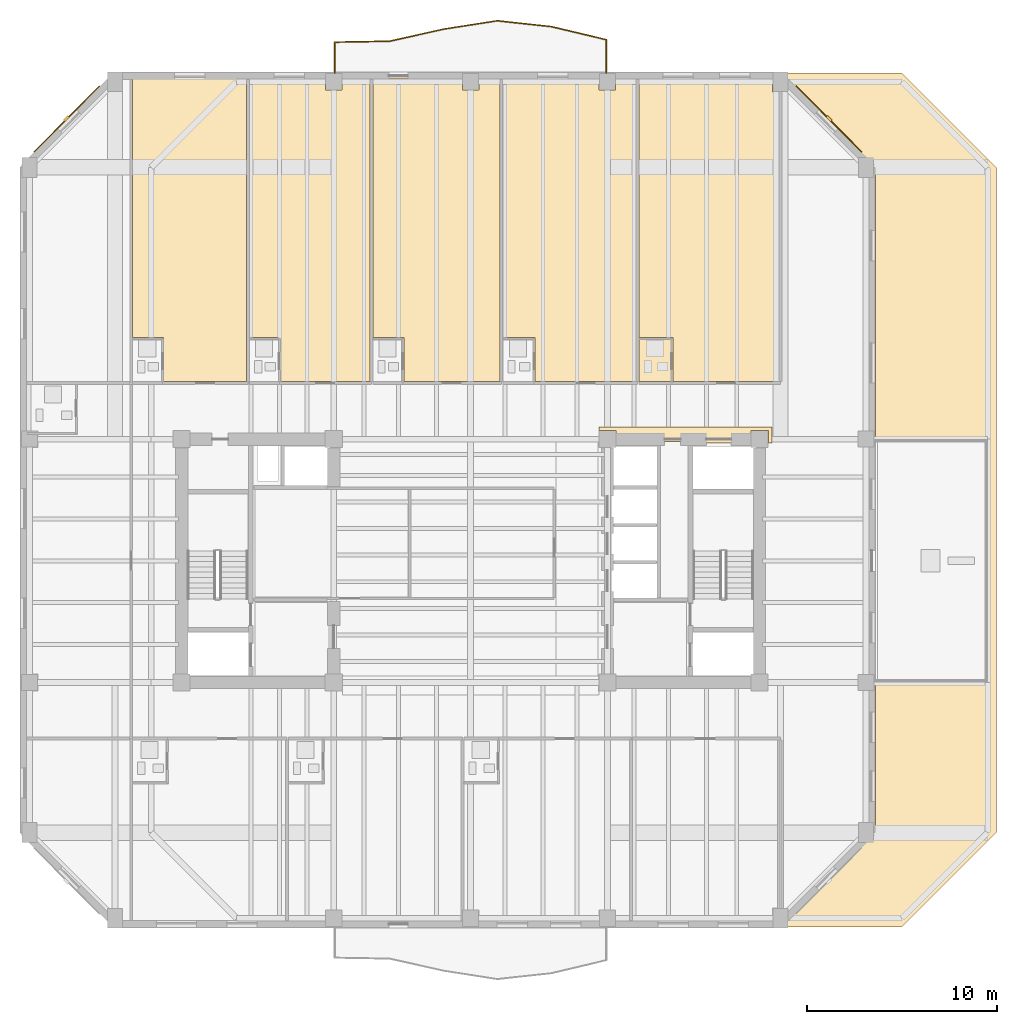
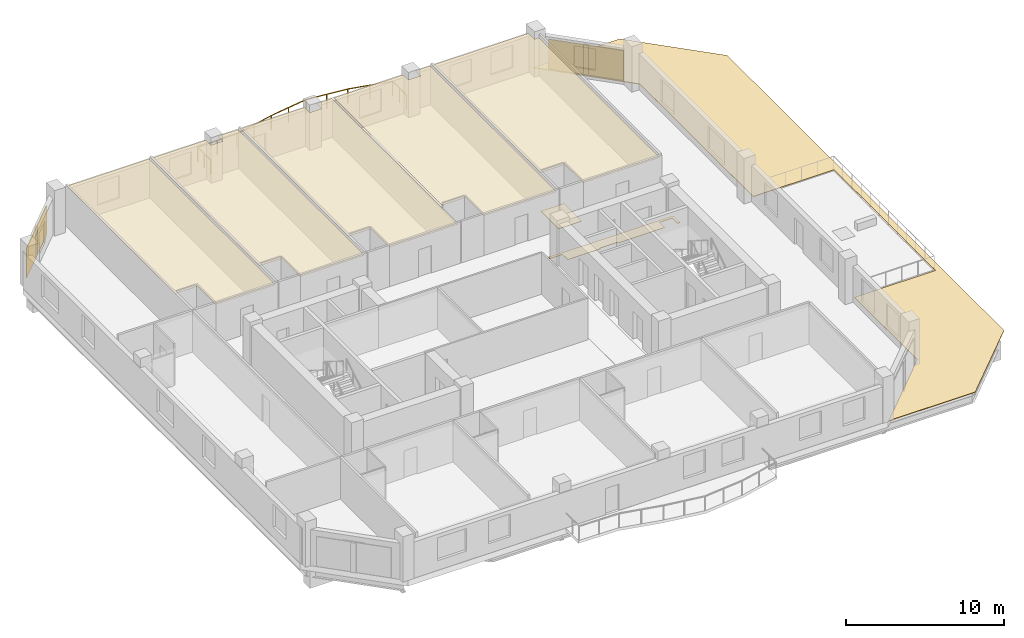
# One storey, part 10 of 11: 10 coverings, 2 shading devices, 1 railing.
"""IFC4 building model written with IfcOpenShell, lengths in metres."""

from ifc_helpers import new_model, si_unit, direction, frame, origin, origin_2d, place, context, subcontext, project, spatial, polyline, rectangle, circle, outline, extrude, material, layer, layer_set, type_object, element, save


model = new_model("IFC4")

# Units and contexts
model_context = context("Model", 3, precision=1e-05, world=origin(), true_north=direction((0.0, 1.0)))
body_context = subcontext(model_context, "Body", "Model", "MODEL_VIEW")
ifc_project = project(units=[si_unit("LENGTHUNIT", "METRE"), si_unit("AREAUNIT", "SQUARE_METRE"), si_unit("VOLUMEUNIT", "CUBIC_METRE"), si_unit("PLANEANGLEUNIT", "RADIAN"), si_unit("MASSUNIT", "GRAM", prefix="KILO")], contexts=[model_context])

# Site, building, storey
site_placement = place(None, origin())
site = spatial("IfcSite", under=ifc_project, at=site_placement, CompositionType="ELEMENT")
building_placement = place(site_placement, origin())
building = spatial("IfcBuilding", under=site, at=building_placement, Name="Kranthara Brick Stack", CompositionType="ELEMENT")
storey_placement = place(building_placement, frame((0.0, 0.0, 183.300048828125)))
storey = spatial("IfcBuildingStorey", under=building, at=storey_placement, Name="L47", CompositionType="ELEMENT", Elevation=183.300048828125)

# Coverings
ifc_material_1 = material(Name="Perforated mineral-fibre acoustic ceiling tile", Category="other")
ifc_layer_1 = layer(ifc_material_1, 0.02490234375)
ifc_layer_set_1 = layer_set([ifc_layer_1], Name="Perforated mineral-fibre acoustic ceiling tile")
covering_type_1 = type_object("IfcCoveringType", Name="COV-CEIL-ACOUSTIC", PredefinedType="CEILING", material=ifc_layer_set_1)
covering_1_placement = place(storey_placement, frame((0.0, 0.0, 2.929931640625)))
element("IfcCovering", 1, at=covering_1_placement, inside=storey, type_object=covering_type_1, Name="L47 Room L47-05 Corner Junior Suite Acoustic Ceiling", PredefinedType="CEILING", context=body_context, shape_type="SweptSolid", body=[
    extrude(outline(polyline([(11.860107421875, 36.6298828125), (16.217041015625, 36.6298828125), (16.217041015625, 52.60009765625), (10.22998046875, 52.60009765625), (10.22998046875, 38.93994140625), (11.860107421875, 38.93994140625), (11.860107421875, 36.6298828125)])), origin(), (0.0, 0.0, 1.0), 0.02490234375),
])
covering_2_placement = place(storey_placement, frame((0.0, 0.0, 2.929931640625)))
element("IfcCovering", 2, at=covering_2_placement, inside=storey, type_object=covering_type_1, Name="L47 Room L47-06 Corner Junior Suite Acoustic Ceiling", PredefinedType="CEILING", context=body_context, shape_type="SweptSolid", body=[
    extrude(outline(polyline([(22.705078125, 52.60009765625), (22.705078125, 36.6298828125), (18.007080078125, 36.6298828125), (18.007080078125, 38.93994140625), (16.376953125, 38.93994140625), (16.376953125, 52.60009765625), (20.364990234375, 52.60009765625), (20.364990234375, 51.965087890625), (21.235107421875, 51.965087890625), (21.235107421875, 52.60009765625), (22.705078125, 52.60009765625)])), origin(), (0.0, 0.0, 1.0), 0.02490234375),
])
covering_3_placement = place(storey_placement, frame((0.0, 0.0, 2.929931640625)))
element("IfcCovering", 3, at=covering_3_placement, inside=storey, type_object=covering_type_1, Name="L47 Room L47-07 Corner Junior Suite Acoustic Ceiling", PredefinedType="CEILING", context=body_context, shape_type="SweptSolid", body=[
    extrude(outline(polyline([(29.534912109375, 52.60009765625), (29.534912109375, 36.6298828125), (24.4951171875, 36.6298828125), (24.4951171875, 38.93994140625), (22.864990234375, 38.93994140625), (22.864990234375, 52.60009765625), (27.56494140625, 52.60009765625), (27.56494140625, 51.965087890625), (28.43505859375, 51.965087890625), (28.43505859375, 52.60009765625), (29.534912109375, 52.60009765625)])), origin(), (0.0, 0.0, 1.0), 0.02490234375),
])
covering_4_placement = place(storey_placement, frame((0.0, 0.0, 2.929931640625)))
element("IfcCovering", 4, at=covering_4_placement, inside=storey, type_object=covering_type_1, Name="L47 Room L47-08 Corner Junior Suite Acoustic Ceiling", PredefinedType="CEILING", context=body_context, shape_type="SweptSolid", body=[
    extrude(outline(polyline([(36.70703125, 52.60009765625), (36.70703125, 36.6298828125), (31.396240234375, 36.6298828125), (31.396240234375, 38.93994140625), (29.695068359375, 38.93994140625), (29.695068359375, 52.60009765625), (34.764892578125, 52.60009765625), (34.764892578125, 51.965087890625), (35.635009765625, 51.965087890625), (35.635009765625, 52.60009765625), (36.70703125, 52.60009765625)])), origin(), (0.0, 0.0, 1.0), 0.02490234375),
])
covering_5_placement = place(storey_placement, frame((0.0, 0.0, 2.929931640625)))
element("IfcCovering", 5, at=covering_5_placement, inside=storey, type_object=covering_type_1, Name="L47 Room L47-09 Corner Junior Suite Acoustic Ceiling", PredefinedType="CEILING", context=body_context, shape_type="SweptSolid", body=[
    extrude(outline(polyline([(44.219970703125, 36.6298828125), (38.650146484375, 36.6298828125), (38.650146484375, 38.93994140625), (36.866943359375, 38.93994140625), (36.866943359375, 52.60009765625), (43.889892578125, 52.60009765625), (43.889892578125, 51.864990234375), (44.219970703125, 51.864990234375), (44.219970703125, 36.6298828125)])), origin(), (0.0, 0.0, 1.0), 0.02490234375),
])
ifc_material_2 = material(Name="Warm buff kiln-fired brick slip rainscreen", Category="masonry")
ifc_layer_2 = layer(ifc_material_2, 0.044921875)
ifc_layer_set_2 = layer_set([ifc_layer_2], Name="Warm buff kiln-fired brick slip rainscreen")
covering_type_2 = type_object("IfcCoveringType", Name="COV-CLAD-BRICK", PredefinedType="CLADDING", material=ifc_layer_set_2)
for number, where, z_axis, x_axis, name in (
    (6, (6.759521484375, 50.4404296875, 0.0498046875), (0.0, 0.0, 1.0), (0.707106781187, 0.707106781187, 0.0), "L47 Chamfer Brick Rainscreen Cladding NW"),
    (7, (46.84033203125, 50.4404296875, 0.0498046875), (0.0, 0.0, 1.0), (0.707106781187, -0.707106781187, 0.0), "L47 Chamfer Brick Rainscreen Cladding NE"),
):
    element("IfcCovering", number, at=place(storey_placement, frame(where, z_axis=z_axis, x_axis=x_axis)), inside=storey, type_object=covering_type_2, Name=name, PredefinedType="CLADDING", context=body_context, shape_type="SweptSolid", body=[
        extrude(rectangle(XDim=4.89306640625, YDim=0.044921875, at=origin_2d()), origin(), (0.0, 0.0, 1.0), 2.300048828125),
    ])
ifc_material_3 = material(Name="Honed terrazzo and porcelain floor finish", Category="stone")
ifc_layer_3 = layer(ifc_material_3, 0.030029296875)
ifc_layer_set_3 = layer_set([ifc_layer_3], Name="Honed terrazzo and porcelain floor finish")
covering_type_3 = type_object("IfcCoveringType", Name="COV-FLOR-STONE", PredefinedType="FLOORING", material=ifc_layer_set_3)
covering_6_placement = place(storey_placement, origin())
element("IfcCovering", 8, at=covering_6_placement, inside=storey, type_object=covering_type_3, Name="L47 Lift Lobby Stone Flooring", PredefinedType="FLOORING", context=body_context, shape_type="SweptSolid", body=[
    extrude(outline(polyline([(43.659912109375, 33.39990234375), (43.659912109375, 34.06005859375), (42.739990234375, 34.06005859375), (42.739990234375, 33.39990234375), (39.35009765625, 33.39990234375), (39.35009765625, 33.47998046875), (38.050048828125, 33.47998046875), (38.050048828125, 33.39990234375), (35.659912109375, 33.39990234375), (35.659912109375, 34.06005859375), (34.75, 34.06005859375), (34.75, 34.25), (43.85009765625, 34.25), (43.85009765625, 33.39990234375), (43.659912109375, 33.39990234375)])), origin(), (0.0, 0.0, 1.0), 0.030029296875),
])
covering_7_placement = place(storey_placement, origin())
element("IfcCovering", 9, at=covering_7_placement, inside=storey, type_object=covering_type_3, Name="L47 Wet Room Porcelain Flooring", PredefinedType="FLOORING", context=body_context, shape_type="SweptSolid", body=[
    extrude(outline(polyline([(36.866943359375, 36.6298828125), (36.866943359375, 38.8798828125), (38.550048828125, 38.8798828125), (38.550048828125, 36.6298828125), (36.866943359375, 36.6298828125)])), origin(), (0.0, 0.0, 1.0), 0.030029296875),
])
ifc_material_4 = material(Name="EPDM waterproofing membrane and rigid insulation", Category="other")
ifc_layer_4 = layer(ifc_material_4, 0.0400390625)
ifc_layer_set_4 = layer_set([ifc_layer_4], Name="EPDM waterproofing membrane and rigid insulation")
covering_type_4 = type_object("IfcCoveringType", Name="COV-ROOF-MEMB", PredefinedType="ROOFING", material=ifc_layer_set_4)
covering_8_placement = place(storey_placement, frame((0.0, 0.0, -0.0400390625)))
element("IfcCovering", 10, at=covering_8_placement, inside=storey, type_object=covering_type_4, Name="L47 Setback Flat Roof Waterproofing Membrane 01", PredefinedType="ROOFING", context=body_context, shape_type="SweptSolid", body=[
    extrude(outline(polyline([(50.67919921875, 52.85009765625), (55.64990234375, 47.87939453125), (55.64990234375, 12.920654296875), (50.67919921875, 7.949951171875), (44.35009765625, 7.949951171875), (49.300048828125, 12.89990234375), (49.300048828125, 20.800048828125), (55.199951171875, 20.800048828125), (55.199951171875, 33.60009765625), (49.300048828125, 33.60009765625), (49.300048828125, 47.89990234375), (44.35009765625, 52.85009765625), (50.67919921875, 52.85009765625)])), origin(), (0.0, 0.0, 1.0), 0.0400390625),
])

# Railing
ifc_material_5 = material(Name="Bronze anodised aluminium and laminated glass balustrade", Category="aluminium")
railing_type = type_object("IfcRailingType", Name="RL-BALC-1120", PredefinedType="BALUSTRADE", material=ifc_material_5)
railing_placement = place(storey_placement, frame((20.860107421875, 52.840087890625, 0.0)))
element("IfcRailing", 11, at=railing_placement, inside=storey, type_object=railing_type, Name="L47 North Rippling Balcony Balustrade", PredefinedType="BALUSTRADE", context=body_context, shape_type="SweptSolid", body=[
    extrude(circle(Radius=0.02392578125, at=origin_2d()), frame((0.0, 0.0, 1.09619140625), z_axis=(0.0, 1.0, 0.0), x_axis=(-1.0, 0.0, 0.0)), (0.0, 0.0, 1.0), 1.643310546875),
    extrude(circle(Radius=0.02392578125, at=origin_2d()), frame((0.0, 1.643310546875, 1.09619140625), z_axis=(0.999853408864, 0.017121938673, 0.0), x_axis=(-0.017121938673, 0.999853408864, 0.0)), (0.0, 0.0, 1.0), 2.88037109375),
    extrude(circle(Radius=0.02392578125, at=origin_2d()), frame((2.8798828125, 1.692626953125, 1.09619140625), z_axis=(0.975999372723, 0.217773332719, 0.0), x_axis=(-0.217773332719, 0.975999372723, 0.0)), (0.0, 0.0, 1.0), 2.94384765625),
    extrude(circle(Radius=0.02392578125, at=origin_2d()), frame((5.753173828125, 2.333740234375, 1.09619140625), z_axis=(0.987979346542, 0.154585933404, 0.0), x_axis=(-0.154585933404, 0.987979346542, 0.0)), (0.0, 0.0, 1.0), 2.814453125),
    extrude(circle(Radius=0.02392578125, at=origin_2d()), frame((8.53369140625, 2.768798828125, 1.09619140625), z_axis=(0.994195551704, -0.10758812654, 0.0), x_axis=(0.10758812654, 0.994195551704, 0.0)), (0.0, 0.0, 1.0), 2.88427734375),
    extrude(circle(Radius=0.02392578125, at=origin_2d()), frame((11.401123046875, 2.45849609375, 1.09619140625), z_axis=(0.972813296182, -0.231590783003, 0.0), x_axis=(0.231590783003, 0.972813296182, 0.0)), (0.0, 0.0, 1.0), 2.959228515625),
    extrude(circle(Radius=0.02392578125, at=origin_2d()), frame((14.27978515625, 1.773193359375, 1.09619140625), z_axis=(0.0, -1.0, 0.0), x_axis=(1.0, 0.0, 0.0)), (0.0, 0.0, 1.0), 1.773193359375),
    extrude(circle(Radius=0.02099609375, at=origin_2d()), origin(), (0.0, 0.0, 1.0), 1.072021484375),
    extrude(circle(Radius=0.02099609375, at=origin_2d()), frame((0.0, 0.82177734375, 0.0)), (0.0, 0.0, 1.0), 1.072021484375),
    extrude(circle(Radius=0.02099609375, at=origin_2d()), frame((0.0, 1.643310546875, 0.0)), (0.0, 0.0, 1.0), 1.072021484375),
    extrude(circle(Radius=0.02099609375, at=origin_2d()), frame((1.43994140625, 1.66796875, 0.0)), (0.0, 0.0, 1.0), 1.072021484375),
    extrude(circle(Radius=0.02099609375, at=origin_2d()), frame((2.8798828125, 1.692626953125, 0.0)), (0.0, 0.0, 1.0), 1.072021484375),
    extrude(circle(Radius=0.02099609375, at=origin_2d()), frame((4.31640625, 2.01318359375, 0.0)), (0.0, 0.0, 1.0), 1.072021484375),
    extrude(circle(Radius=0.02099609375, at=origin_2d()), frame((5.753173828125, 2.333740234375, 0.0)), (0.0, 0.0, 1.0), 1.072021484375),
    extrude(circle(Radius=0.02099609375, at=origin_2d()), frame((7.1435546875, 2.55126953125, 0.0)), (0.0, 0.0, 1.0), 1.072021484375),
    extrude(circle(Radius=0.02099609375, at=origin_2d()), frame((8.53369140625, 2.768798828125, 0.0)), (0.0, 0.0, 1.0), 1.072021484375),
    extrude(circle(Radius=0.02099609375, at=origin_2d()), frame((9.96728515625, 2.61376953125, 0.0)), (0.0, 0.0, 1.0), 1.072021484375),
    extrude(circle(Radius=0.02099609375, at=origin_2d()), frame((11.401123046875, 2.45849609375, 0.0)), (0.0, 0.0, 1.0), 1.072021484375),
    extrude(circle(Radius=0.02099609375, at=origin_2d()), frame((12.84033203125, 2.11572265625, 0.0)), (0.0, 0.0, 1.0), 1.072021484375),
    extrude(circle(Radius=0.02099609375, at=origin_2d()), frame((14.27978515625, 1.773193359375, 0.0)), (0.0, 0.0, 1.0), 1.072021484375),
    extrude(circle(Radius=0.02099609375, at=origin_2d()), frame((14.27978515625, 0.88671875, 0.0)), (0.0, 0.0, 1.0), 1.072021484375),
    extrude(circle(Radius=0.02099609375, at=origin_2d()), frame((14.27978515625, 0.0, 0.0)), (0.0, 0.0, 1.0), 1.072021484375),
])

# Shading devices
ifc_material_6 = material(Name="Kiln-fired terracotta aerodynamic wind fin", Category="masonry")
shading_device_type = type_object("IfcShadingDeviceType", Name="SHD-BAFFLE-CORNER", PredefinedType="SHUTTER", material=ifc_material_6)
for number, where, z_axis, x_axis, name in (
    (12, (6.73828125, 50.461669921875, 0.0498046875), (0.0, 0.0, 1.0), (0.707106781187, 0.707106781187, 0.0), "L47 Chamfer Wind-Baffle Fin NW"),
    (13, (46.861572265625, 50.461669921875, 0.0498046875), (0.0, 0.0, 1.0), (0.707106781187, -0.707106781187, 0.0), "L47 Chamfer Wind-Baffle Fin NE"),
):
    element("IfcShadingDevice", number, at=place(storey_placement, frame(where, z_axis=z_axis, x_axis=x_axis)), inside=storey, type_object=shading_device_type, Name=name, PredefinedType="SHUTTER", context=body_context, shape_type="SweptSolid", body=[
        extrude(rectangle(XDim=0.35009765625, YDim=0.1201171875, at=origin_2d()), origin(), (0.0, 0.0, 1.0), 2.300048828125),
    ])

save(model, "model.ifc")
